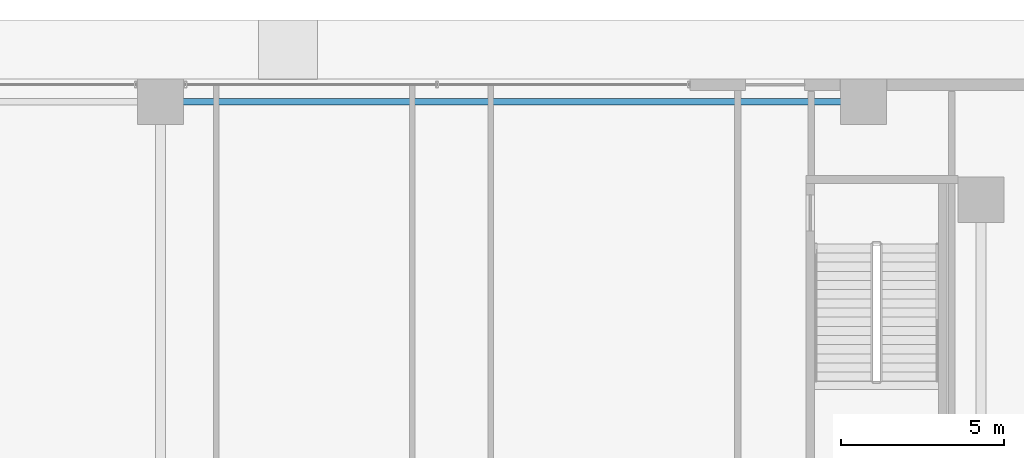
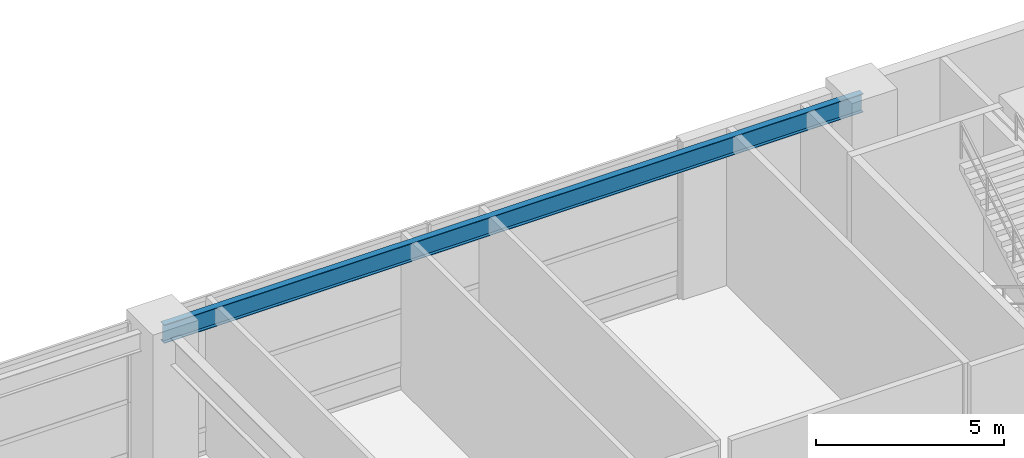
# One storey, part 17 of 32: 1 beam.
"""IFC4 building model written with IfcOpenShell, lengths in metres."""

from ifc_helpers import new_model, si_unit, direction, frame, origin, origin_2d, place, context, subcontext, project, spatial, i_section, extrude, source, transform, mapped, material, material_profile, profile_set, type_object, element, save


model = new_model("IFC4")

# Units and contexts
model_context = context("Model", 3, precision=1e-05, world=origin(), true_north=direction((0.0, 1.0)))
body_context = subcontext(model_context, "Body", "Model", "MODEL_VIEW")
ifc_project = project(units=[si_unit("LENGTHUNIT", "METRE"), si_unit("AREAUNIT", "SQUARE_METRE"), si_unit("VOLUMEUNIT", "CUBIC_METRE"), si_unit("PLANEANGLEUNIT", "RADIAN"), si_unit("MASSUNIT", "GRAM", prefix="KILO"), si_unit("THERMODYNAMICTEMPERATUREUNIT", "KELVIN"), si_unit("POWERUNIT", "WATT")], contexts=[model_context])

# Site, building, storey
site_placement = place(None, origin())
site = spatial("IfcSite", under=ifc_project, at=site_placement, CompositionType="ELEMENT")
building_placement = place(site_placement, origin())
building = spatial("IfcBuilding", under=site, at=building_placement, Name="Yuzanri Waterfront Tower", CompositionType="ELEMENT")
storey_placement = place(building_placement, origin())
storey = spatial("IfcBuildingStorey", under=building, at=storey_placement, Name="L01", CompositionType="ELEMENT", Elevation=0.0)

# Beam
ifc_material = material(Name="Steel Q355B", Category="steel")
ifc_material_profile = material_profile(ifc_material, i_section(OverallWidth=0.199951171875, OverallDepth=0.60009765625, WebThickness=0.010986328125, FlangeThickness=0.01708984375, at=origin_2d()), Name="HN 600x200x11x17")
ifc_profile_set = profile_set([ifc_material_profile], Name="Steel Q355B")
beam_type = type_object("IfcBeamType", Name="Perimeter Spandrel Q355B HN 600x200", PredefinedType="SPANDREL", material=ifc_profile_set)
shared_shape = source(origin(), body_context, "Body", "SweptSolid", [
    extrude(i_section(OverallWidth=0.199951171875, OverallDepth=0.60009765625, WebThickness=0.010986328125, FlangeThickness=0.01708984375, at=origin_2d()), origin(), (0.0, 0.0, 1.0), 21.5),
])
beam_placement = place(storey_placement, frame((37.0, 49.10009765625, 4.820068359375), z_axis=(1.0, 0.0, 0.0), x_axis=(0.0, 1.0, 0.0)))
element("IfcBeam", 1, at=beam_placement, inside=storey, type_object=beam_type, Name="L01 North Spandrel 2", PredefinedType="SPANDREL", context=body_context, shape_type="MappedRepresentation", body=[
    mapped(shared_shape, transform((0.0, 0.0, 0.0), scale=1.0)),
])

save(model, "model.ifc")
